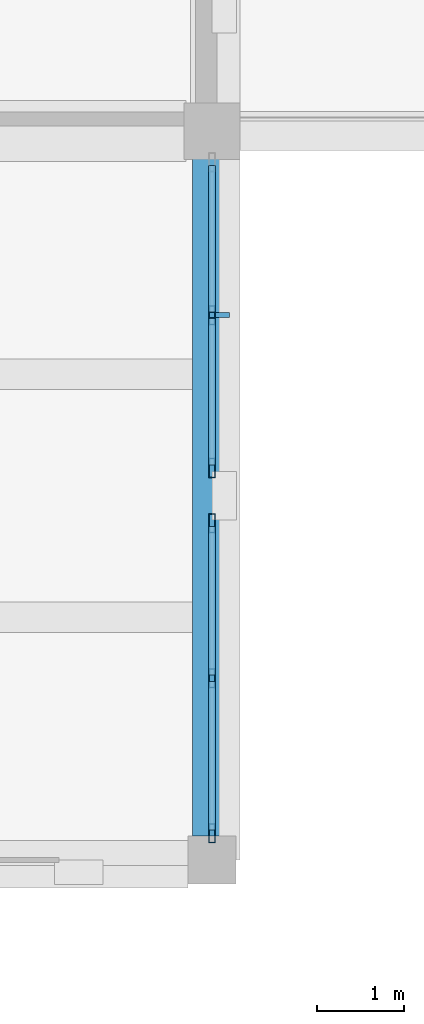
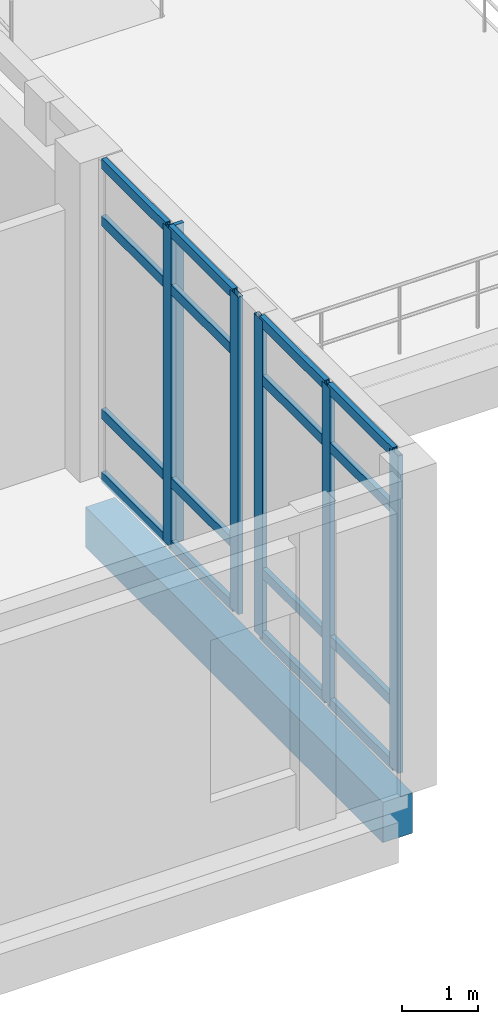
# One storey, part 35 of 71: 22 members, 1 beam, 2 elements without a shape of their own.
"""IFC4 building model written with IfcOpenShell, lengths in metres."""

from ifc_helpers import new_model, si_unit, direction, frame, origin, origin_2d, place, context, subcontext, project, spatial, rectangle, hollow_rectangle, extrude, material, layer, layer_set, material_profile, profile_set, type_object, element, aggregate, save


model = new_model("IFC4")

# Units and contexts
model_context = context("Model", 3, precision=1e-05, world=origin(), true_north=direction((0.0, 1.0)))
body_context = subcontext(model_context, "Body", "Model", "MODEL_VIEW")
ifc_project = project(units=[si_unit("LENGTHUNIT", "METRE"), si_unit("AREAUNIT", "SQUARE_METRE"), si_unit("VOLUMEUNIT", "CUBIC_METRE"), si_unit("PLANEANGLEUNIT", "RADIAN"), si_unit("MASSUNIT", "GRAM", prefix="KILO")], contexts=[model_context])

# Site, building, storey
site_placement = place(None, origin())
site = spatial("IfcSite", under=ifc_project, at=site_placement, CompositionType="ELEMENT")
building_placement = place(site_placement, origin())
building = spatial("IfcBuilding", under=site, at=building_placement, Name="Lornevale Opera House", CompositionType="ELEMENT")
storey_placement = place(building_placement, origin())
storey = spatial("IfcBuildingStorey", under=building, at=storey_placement, Name="L01", CompositionType="ELEMENT", Elevation=0.0)

# Beam
ifc_material_1 = material(Name="Concrete 35 MPa (CSA A23.1 N)", Category="concrete")
ifc_material_profile_1 = material_profile(ifc_material_1, rectangle(XDim=0.449951171875, YDim=0.64990234375, at=origin_2d()), Name="RC450x650")
ifc_profile_set_1 = profile_set([ifc_material_profile_1], Name="Concrete 35 MPa (CSA A23.1 N)")
beam_type = type_object("IfcBeamType", Name="Concrete Spandrel Beam 450x650", PredefinedType="SPANDREL", material=ifc_profile_set_1)
beam_placement = place(storey_placement, frame((153.60009765625, 8.675048828125, -0.764892578125), z_axis=(0.0, 1.0, 0.0), x_axis=(-1.0, 0.0, 0.0)))
element("IfcBeam", 1, at=beam_placement, inside=storey, type_object=beam_type, Name="Concrete Spandrel Beam 450x650 1273", PredefinedType="SPANDREL", context=body_context, shape_type="SweptSolid", body=[
    extrude(rectangle(XDim=0.449951171875, YDim=0.64990234375, at=origin_2d()), origin(), (0.0, 0.0, 1.0), 7.824951171875),
])

# Curtain wall, members
ifc_material_2 = material(Name="Anodized Oxide-Green Aluminium Framing", Category="aluminium")
ifc_layer = layer(ifc_material_2, 0.215087890625)
ifc_layer_set = layer_set([ifc_layer], Name="Anodized Oxide-Green Aluminium Framing")
curtain_wall_type = type_object("IfcCurtainWallType", Name="Grand Foyer Curtain Wall M2000", PredefinedType="NOTDEFINED", material=ifc_layer_set)
curtain_wall_1_placement = place(storey_placement, origin())
curtain_wall_1 = element("IfcCurtainWall", 2, at=curtain_wall_1_placement, inside=storey, type_object=curtain_wall_type, Name="Grand Foyer Curtain Wall M2000 CW-019", PredefinedType="NOTDEFINED")
ifc_material_profile_2 = material_profile(ifc_material_2, hollow_rectangle(XDim=0.074951171875, YDim=0.219970703125, WallThickness=0.0048828125, at=origin_2d()), Name="ALU75x220x5")
ifc_profile_set_2 = profile_set([ifc_material_profile_2], Name="Anodized Oxide-Green Aluminium Framing")
member_type_1 = type_object("IfcMemberType", Name="Curtain Wall Mullion 75x220", PredefinedType="MULLION", material=ifc_profile_set_2)
member_1_placement = place(storey_placement, frame((153.60009765625, 14.679443359375, 0.0), z_axis=(0.0, 0.0, 1.0), x_axis=(1.0, 0.0, 0.0)))
member_1 = element("IfcMember", 3, at=member_1_placement, type_object=member_type_1, Name="Curtain Wall Mullion 75x220 CW0308", PredefinedType="MULLION", context=body_context, shape_type="SweptSolid", body=[
    extrude(hollow_rectangle(XDim=0.074951171875, YDim=0.219970703125, WallThickness=0.0048828125, at=origin_2d()), origin(), (0.0, 0.0, 1.0), 5.10009765625),
])
member_2_placement = place(storey_placement, frame((153.60009765625, 12.91748046875, 0.0), z_axis=(0.0, 0.0, 1.0), x_axis=(1.0, 0.0, 0.0)))
member_2 = element("IfcMember", 4, at=member_2_placement, type_object=member_type_1, Name="Curtain Wall Mullion 75x220 CW0309", PredefinedType="MULLION", context=body_context, shape_type="SweptSolid", body=[
    extrude(hollow_rectangle(XDim=0.074951171875, YDim=0.219970703125, WallThickness=0.0048828125, at=origin_2d()), origin(), (0.0, 0.0, 1.0), 5.10009765625),
])

curtain_wall_2_placement = place(storey_placement, origin())
curtain_wall_2 = element("IfcCurtainWall", 5, at=curtain_wall_2_placement, inside=storey, type_object=curtain_wall_type, Name="Grand Foyer Curtain Wall M2000 CW-020", PredefinedType="NOTDEFINED")
member_3_placement = place(storey_placement, frame((153.60009765625, 12.282470703125, 0.0), z_axis=(0.0, 0.0, 1.0), x_axis=(1.0, 0.0, 0.0)))
member_3 = element("IfcMember", 6, at=member_3_placement, type_object=member_type_1, Name="Curtain Wall Mullion 75x220 CW0324", PredefinedType="MULLION", context=body_context, shape_type="SweptSolid", body=[
    extrude(hollow_rectangle(XDim=0.074951171875, YDim=0.219970703125, WallThickness=0.0048828125, at=origin_2d()), origin(), (0.0, 0.0, 1.0), 5.10009765625),
])
member_4_placement = place(storey_placement, frame((153.60009765625, 10.49560546875, 0.0), z_axis=(0.0, 0.0, 1.0), x_axis=(1.0, 0.0, 0.0)))
member_4 = element("IfcMember", 7, at=member_4_placement, type_object=member_type_1, Name="Curtain Wall Mullion 75x220 CW0325", PredefinedType="MULLION", context=body_context, shape_type="SweptSolid", body=[
    extrude(hollow_rectangle(XDim=0.074951171875, YDim=0.219970703125, WallThickness=0.0048828125, at=origin_2d()), origin(), (0.0, 0.0, 1.0), 5.10009765625),
])
member_5_placement = place(storey_placement, frame((153.60009765625, 8.70849609375, 0.0), z_axis=(0.0, 0.0, 1.0), x_axis=(1.0, 0.0, 0.0)))
member_5 = element("IfcMember", 8, at=member_5_placement, type_object=member_type_1, Name="Curtain Wall Mullion 75x220 CW0326", PredefinedType="MULLION", context=body_context, shape_type="SweptSolid", body=[
    extrude(hollow_rectangle(XDim=0.074951171875, YDim=0.219970703125, WallThickness=0.0048828125, at=origin_2d()), origin(), (0.0, 0.0, 1.0), 5.10009765625),
])

# Member
ifc_material_profile_3 = material_profile(ifc_material_2, hollow_rectangle(XDim=0.074951171875, YDim=0.159912109375, WallThickness=0.0048828125, at=origin_2d()), Name="ALU75x160x5")
ifc_profile_set_3 = profile_set([ifc_material_profile_3], Name="Anodized Oxide-Green Aluminium Framing")
member_type_2 = type_object("IfcMemberType", Name="Curtain Wall Transom 75x160", PredefinedType="USERDEFINED", material=ifc_profile_set_3)
member_6_placement = place(storey_placement, frame((153.60009765625, 16.404052734375, 0.03759765625), z_axis=(0.0, -1.0, 0.0), x_axis=(1.0, 0.0, 0.0)))
member_6 = element("IfcMember", 9, at=member_6_placement, type_object=member_type_2, Name="Curtain Wall Transom 75x160 CW0310", ObjectType="TRANSOM", PredefinedType="USERDEFINED", context=body_context, shape_type="SweptSolid", body=[
    extrude(hollow_rectangle(XDim=0.074951171875, YDim=0.159912109375, WallThickness=0.0048828125, at=origin_2d()), origin(), (0.0, 0.0, 1.0), 1.68701171875),
])

member_7_placement = place(storey_placement, frame((153.60009765625, 16.404052734375, 1.050048828125), z_axis=(0.0, -1.0, 0.0), x_axis=(1.0, 0.0, 0.0)))
member_7 = element("IfcMember", 10, at=member_7_placement, type_object=member_type_2, Name="Curtain Wall Transom 75x160 CW0311", ObjectType="TRANSOM", PredefinedType="USERDEFINED", context=body_context, shape_type="SweptSolid", body=[
    extrude(hollow_rectangle(XDim=0.074951171875, YDim=0.159912109375, WallThickness=0.0048828125, at=origin_2d()), origin(), (0.0, 0.0, 1.0), 1.68701171875),
])

member_8_placement = place(storey_placement, frame((153.60009765625, 16.404052734375, 4.14990234375), z_axis=(0.0, -1.0, 0.0), x_axis=(1.0, 0.0, 0.0)))
member_8 = element("IfcMember", 11, at=member_8_placement, type_object=member_type_2, Name="Curtain Wall Transom 75x160 CW0312", ObjectType="TRANSOM", PredefinedType="USERDEFINED", context=body_context, shape_type="SweptSolid", body=[
    extrude(hollow_rectangle(XDim=0.074951171875, YDim=0.159912109375, WallThickness=0.0048828125, at=origin_2d()), origin(), (0.0, 0.0, 1.0), 1.68701171875),
])

member_9_placement = place(storey_placement, frame((153.60009765625, 16.404052734375, 5.0625), z_axis=(0.0, -1.0, 0.0), x_axis=(1.0, 0.0, 0.0)))
member_9 = element("IfcMember", 12, at=member_9_placement, type_object=member_type_2, Name="Curtain Wall Transom 75x160 CW0313", ObjectType="TRANSOM", PredefinedType="USERDEFINED", context=body_context, shape_type="SweptSolid", body=[
    extrude(hollow_rectangle(XDim=0.074951171875, YDim=0.159912109375, WallThickness=0.0048828125, at=origin_2d()), origin(), (0.0, 0.0, 1.0), 1.68701171875),
])

member_10_placement = place(storey_placement, frame((153.60009765625, 14.64208984375, 0.03759765625), z_axis=(0.0, -1.0, 0.0), x_axis=(1.0, 0.0, 0.0)))
member_10 = element("IfcMember", 13, at=member_10_placement, type_object=member_type_2, Name="Curtain Wall Transom 75x160 CW0317", ObjectType="TRANSOM", PredefinedType="USERDEFINED", context=body_context, shape_type="SweptSolid", body=[
    extrude(hollow_rectangle(XDim=0.074951171875, YDim=0.159912109375, WallThickness=0.0048828125, at=origin_2d()), origin(), (0.0, 0.0, 1.0), 1.68701171875),
])

member_11_placement = place(storey_placement, frame((153.60009765625, 14.64208984375, 1.050048828125), z_axis=(0.0, -1.0, 0.0), x_axis=(1.0, 0.0, 0.0)))
member_11 = element("IfcMember", 14, at=member_11_placement, type_object=member_type_2, Name="Curtain Wall Transom 75x160 CW0318", ObjectType="TRANSOM", PredefinedType="USERDEFINED", context=body_context, shape_type="SweptSolid", body=[
    extrude(hollow_rectangle(XDim=0.074951171875, YDim=0.159912109375, WallThickness=0.0048828125, at=origin_2d()), origin(), (0.0, 0.0, 1.0), 1.68701171875),
])

member_12_placement = place(storey_placement, frame((153.60009765625, 14.64208984375, 4.14990234375), z_axis=(0.0, -1.0, 0.0), x_axis=(1.0, 0.0, 0.0)))
member_12 = element("IfcMember", 15, at=member_12_placement, type_object=member_type_2, Name="Curtain Wall Transom 75x160 CW0319", ObjectType="TRANSOM", PredefinedType="USERDEFINED", context=body_context, shape_type="SweptSolid", body=[
    extrude(hollow_rectangle(XDim=0.074951171875, YDim=0.159912109375, WallThickness=0.0048828125, at=origin_2d()), origin(), (0.0, 0.0, 1.0), 1.68701171875),
])

member_13_placement = place(storey_placement, frame((153.60009765625, 14.64208984375, 5.0625), z_axis=(0.0, -1.0, 0.0), x_axis=(1.0, 0.0, 0.0)))
member_13 = element("IfcMember", 16, at=member_13_placement, type_object=member_type_2, Name="Curtain Wall Transom 75x160 CW0320", ObjectType="TRANSOM", PredefinedType="USERDEFINED", context=body_context, shape_type="SweptSolid", body=[
    extrude(hollow_rectangle(XDim=0.074951171875, YDim=0.159912109375, WallThickness=0.0048828125, at=origin_2d()), origin(), (0.0, 0.0, 1.0), 1.68701171875),
])

member_14_placement = place(storey_placement, frame((153.60009765625, 12.2451171875, 0.03759765625), z_axis=(0.0, -1.0, 0.0), x_axis=(1.0, 0.0, 0.0)))
member_14 = element("IfcMember", 17, at=member_14_placement, type_object=member_type_2, Name="Curtain Wall Transom 75x160 CW0327", ObjectType="TRANSOM", PredefinedType="USERDEFINED", context=body_context, shape_type="SweptSolid", body=[
    extrude(hollow_rectangle(XDim=0.074951171875, YDim=0.159912109375, WallThickness=0.0048828125, at=origin_2d()), origin(), (0.0, 0.0, 1.0), 1.712158203125),
])

member_15_placement = place(storey_placement, frame((153.60009765625, 12.2451171875, 1.050048828125), z_axis=(0.0, -1.0, 0.0), x_axis=(1.0, 0.0, 0.0)))
member_15 = element("IfcMember", 18, at=member_15_placement, type_object=member_type_2, Name="Curtain Wall Transom 75x160 CW0328", ObjectType="TRANSOM", PredefinedType="USERDEFINED", context=body_context, shape_type="SweptSolid", body=[
    extrude(hollow_rectangle(XDim=0.074951171875, YDim=0.159912109375, WallThickness=0.0048828125, at=origin_2d()), origin(), (0.0, 0.0, 1.0), 1.712158203125),
])

member_16_placement = place(storey_placement, frame((153.60009765625, 12.2451171875, 4.14990234375), z_axis=(0.0, -1.0, 0.0), x_axis=(1.0, 0.0, 0.0)))
member_16 = element("IfcMember", 19, at=member_16_placement, type_object=member_type_2, Name="Curtain Wall Transom 75x160 CW0329", ObjectType="TRANSOM", PredefinedType="USERDEFINED", context=body_context, shape_type="SweptSolid", body=[
    extrude(hollow_rectangle(XDim=0.074951171875, YDim=0.159912109375, WallThickness=0.0048828125, at=origin_2d()), origin(), (0.0, 0.0, 1.0), 1.712158203125),
])

member_17_placement = place(storey_placement, frame((153.60009765625, 12.2451171875, 5.0625), z_axis=(0.0, -1.0, 0.0), x_axis=(1.0, 0.0, 0.0)))
member_17 = element("IfcMember", 20, at=member_17_placement, type_object=member_type_2, Name="Curtain Wall Transom 75x160 CW0330", ObjectType="TRANSOM", PredefinedType="USERDEFINED", context=body_context, shape_type="SweptSolid", body=[
    extrude(hollow_rectangle(XDim=0.074951171875, YDim=0.159912109375, WallThickness=0.0048828125, at=origin_2d()), origin(), (0.0, 0.0, 1.0), 1.712158203125),
])

member_18_placement = place(storey_placement, frame((153.60009765625, 10.4580078125, 0.03759765625), z_axis=(0.0, -1.0, 0.0), x_axis=(1.0, 0.0, 0.0)))
member_18 = element("IfcMember", 21, at=member_18_placement, type_object=member_type_2, Name="Curtain Wall Transom 75x160 CW0334", ObjectType="TRANSOM", PredefinedType="USERDEFINED", context=body_context, shape_type="SweptSolid", body=[
    extrude(hollow_rectangle(XDim=0.074951171875, YDim=0.159912109375, WallThickness=0.0048828125, at=origin_2d()), origin(), (0.0, 0.0, 1.0), 1.7119140625),
])

member_19_placement = place(storey_placement, frame((153.60009765625, 10.4580078125, 1.050048828125), z_axis=(0.0, -1.0, 0.0), x_axis=(1.0, 0.0, 0.0)))
member_19 = element("IfcMember", 22, at=member_19_placement, type_object=member_type_2, Name="Curtain Wall Transom 75x160 CW0335", ObjectType="TRANSOM", PredefinedType="USERDEFINED", context=body_context, shape_type="SweptSolid", body=[
    extrude(hollow_rectangle(XDim=0.074951171875, YDim=0.159912109375, WallThickness=0.0048828125, at=origin_2d()), origin(), (0.0, 0.0, 1.0), 1.7119140625),
])

member_20_placement = place(storey_placement, frame((153.60009765625, 10.4580078125, 4.14990234375), z_axis=(0.0, -1.0, 0.0), x_axis=(1.0, 0.0, 0.0)))
member_20 = element("IfcMember", 23, at=member_20_placement, type_object=member_type_2, Name="Curtain Wall Transom 75x160 CW0336", ObjectType="TRANSOM", PredefinedType="USERDEFINED", context=body_context, shape_type="SweptSolid", body=[
    extrude(hollow_rectangle(XDim=0.074951171875, YDim=0.159912109375, WallThickness=0.0048828125, at=origin_2d()), origin(), (0.0, 0.0, 1.0), 1.7119140625),
])

member_21_placement = place(storey_placement, frame((153.60009765625, 10.4580078125, 5.0625), z_axis=(0.0, -1.0, 0.0), x_axis=(1.0, 0.0, 0.0)))
member_21 = element("IfcMember", 24, at=member_21_placement, type_object=member_type_2, Name="Curtain Wall Transom 75x160 CW0337", ObjectType="TRANSOM", PredefinedType="USERDEFINED", context=body_context, shape_type="SweptSolid", body=[
    extrude(hollow_rectangle(XDim=0.074951171875, YDim=0.159912109375, WallThickness=0.0048828125, at=origin_2d()), origin(), (0.0, 0.0, 1.0), 1.7119140625),
])

aggregate(curtain_wall_2, [member_3, member_4, member_5, member_14, member_15, member_16, member_17, member_18, member_19, member_20, member_21])

ifc_material_3 = material(Name="Architectural Bronze Solar Louvre Alloy", Category="metal")
ifc_material_profile_4 = material_profile(ifc_material_3, rectangle(XDim=0.06005859375, YDim=0.239990234375, at=origin_2d()), Name="FIN60x240")
ifc_profile_set_4 = profile_set([ifc_material_profile_4], Name="Architectural Bronze Solar Louvre Alloy")
member_type_3 = type_object("IfcMemberType", Name="Solar Shading Fin 60x240", PredefinedType="USERDEFINED", material=ifc_profile_set_4)
member_22_placement = place(storey_placement, frame((153.68408203125, 14.679443359375, 0.0), z_axis=(0.0, 0.0, 1.0), x_axis=(0.0, -1.0, 0.0)))
member_22 = element("IfcMember", 25, at=member_22_placement, type_object=member_type_3, Name="Solar Shading Fin 60x240 FIN0010", ObjectType="SOLAR FIN", PredefinedType="USERDEFINED", context=body_context, shape_type="SweptSolid", body=[
    extrude(rectangle(XDim=0.06005859375, YDim=0.239990234375, at=origin_2d()), origin(), (0.0, 0.0, 1.0), 5.10009765625),
])

aggregate(curtain_wall_1, [member_1, member_2, member_6, member_7, member_8, member_9, member_10, member_11, member_12, member_13, member_22])

save(model, "model.ifc")
